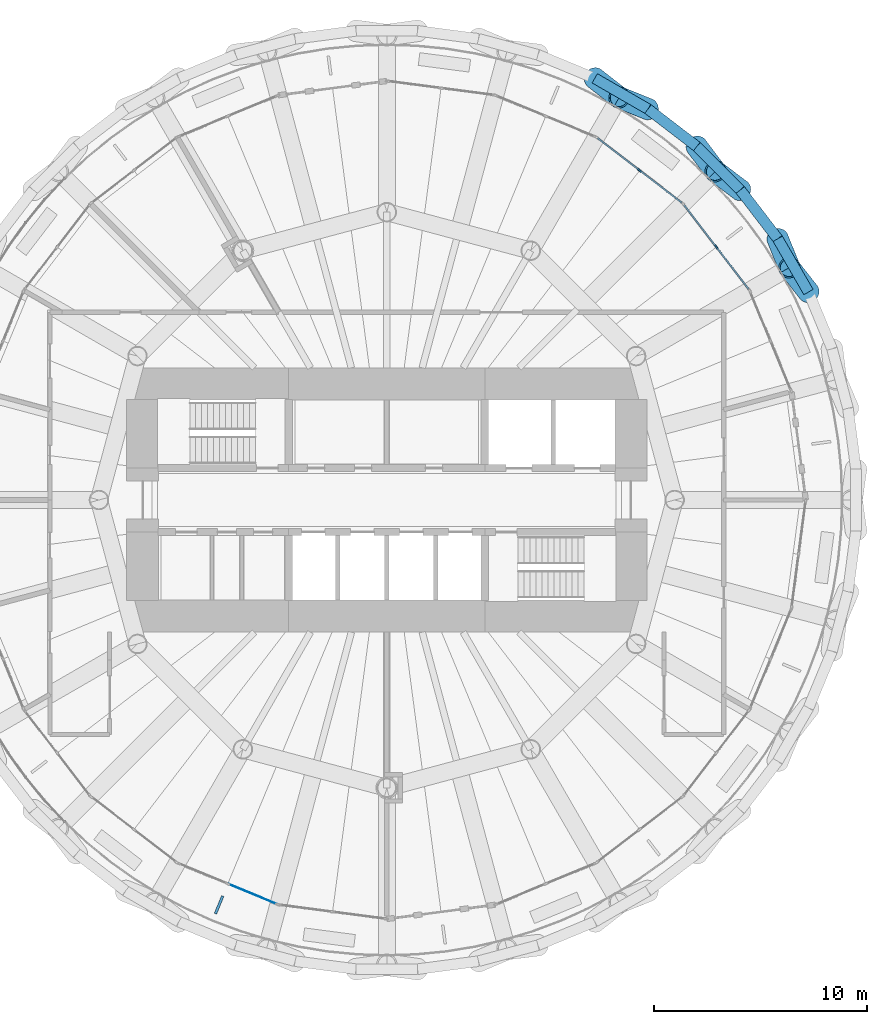
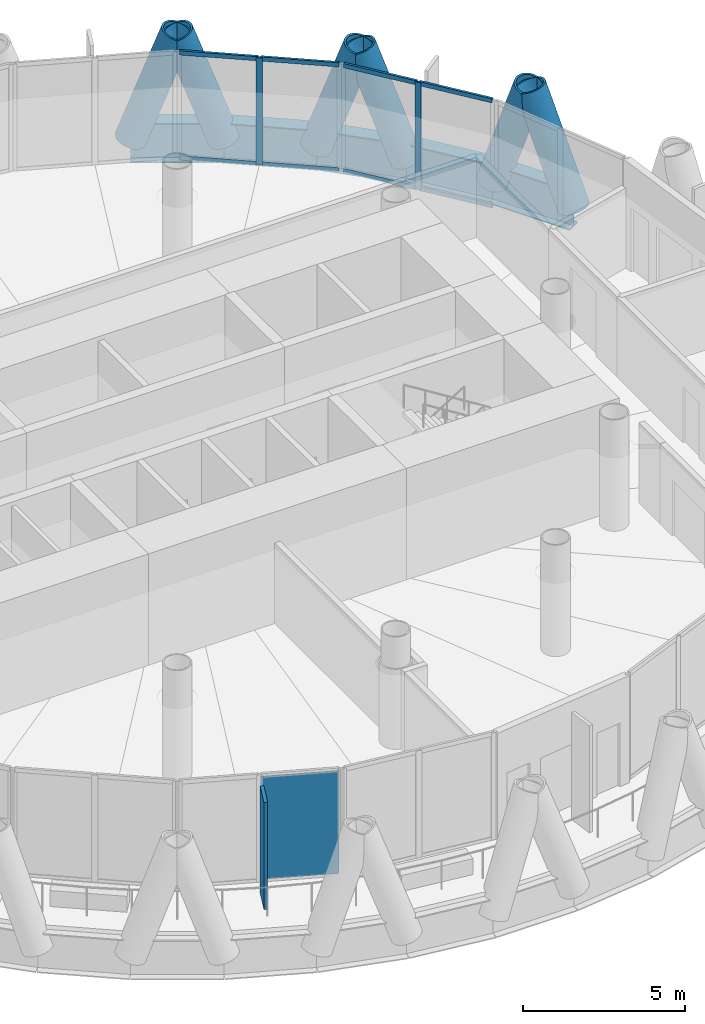
# One storey, part 6 of 15: 16 members, 5 beams, 2 plates, 3 elements without a shape of their own.
"""IFC4 building model written with IfcOpenShell, lengths in metres."""

import ifcopenshell
import ifcopenshell.guid

model = None  # the IFC model being written
_history = None  # IfcOwnerHistory: only IFC2X3 demands one
_inside = {}  # id of a spatial element -> (the spatial element, [elements in it])
_under = {}  # id of a project, library or spatial element -> (it, [spatial elements below it])
_declared = {}  # id of a project -> (the project, [libraries it declares])
_typed = {}  # id of a type object -> (the type object, [elements of that type])
_made_of = {}  # id of a material, layer set ... -> (it, [elements and type objects made of it])


def new_model(schema):
    """Start an empty IFC model of exactly this schema.

    Asked for "IFC4X3", IfcOpenShell would pick the latest addendum, in which some entities
    have other attributes; the version numbers below select the first issue.
    IFC2X3 requires an IfcOwnerHistory on every rooted entity: one is made here for all.
    """
    global model, _history
    if schema == "IFC4X3":
        model = ifcopenshell.file(schema_version=(4, 3, 0, 0))
    else:
        model = ifcopenshell.file(schema=schema)
    _inside.clear()
    _under.clear()
    _declared.clear()
    _typed.clear()
    _made_of.clear()
    _history = None
    if model.schema == "IFC2X3":
        org = make("IfcOrganization", Name="unknown")
        user = make(
            "IfcPersonAndOrganization",
            ThePerson=make("IfcPerson", FamilyName="unknown"),
            TheOrganization=org,
        )
        app = make(
            "IfcApplication",
            ApplicationDeveloper=org,
            Version="unknown",
            ApplicationFullName="unknown",
            ApplicationIdentifier="unknown",
        )
        _history = make(
            "IfcOwnerHistory",
            OwningUser=user,
            OwningApplication=app,
            ChangeAction="ADDED",
            CreationDate=0,
        )
    return model


def make(cls, **values):
    """One entity of the class cls with the attributes given. An attribute that is None is left unset."""
    return model.create_entity(
        cls, **{name: value for name, value in values.items() if value is not None}
    )


def rooted(cls, **values):
    """An entity with a GlobalId (a new one), such as an element, a storey or a relation."""
    return make(cls, GlobalId=ifcopenshell.guid.new(), OwnerHistory=_history, **values)


def si_unit(unit_type, name, prefix=None):
    """IfcSIUnit, for example si_unit("LENGTHUNIT", "METRE", prefix="MILLI")."""
    return make("IfcSIUnit", UnitType=unit_type, Prefix=prefix, Name=name)


def assignment(units):
    """IfcUnitAssignment: the units of a project."""
    return None if units is None else make("IfcUnitAssignment", Units=units)


def point(xyz):
    """IfcCartesianPoint."""
    return None if xyz is None else make("IfcCartesianPoint", Coordinates=xyz)


def direction(xyz):
    """IfcDirection."""
    return None if xyz is None else make("IfcDirection", DirectionRatios=xyz)


def frame(location, z_axis=None, x_axis=None):
    """IfcAxis2Placement3D, a coordinate frame: its origin and axes. An axis left out is left unset."""
    return make(
        "IfcAxis2Placement3D",
        Location=point(location),
        Axis=direction(z_axis),
        RefDirection=direction(x_axis),
    )


def frame_2d(location, x_axis=None):
    """IfcAxis2Placement2D, a coordinate frame in the plane: its origin and x axis."""
    return make(
        "IfcAxis2Placement2D", Location=point(location), RefDirection=direction(x_axis)
    )


def origin():
    """The frame at (0, 0, 0) with its axes left unset."""
    return frame((0.0, 0.0, 0.0))


def origin_2d():
    """The frame at (0, 0) in the plane with its x axis left unset."""
    return frame_2d((0.0, 0.0))


def place(relative_to, where):
    """IfcLocalPlacement: puts the frame where relative to a parent placement (None: the world)."""
    return make(
        "IfcLocalPlacement", PlacementRelTo=relative_to, RelativePlacement=where
    )


def context(
    kind, dimensions, precision=None, world=None, true_north=None, identifier=None
):
    """IfcGeometricRepresentationContext, for example the 3D "Model" context."""
    return make(
        "IfcGeometricRepresentationContext",
        ContextIdentifier=identifier,
        ContextType=kind,
        CoordinateSpaceDimension=dimensions,
        Precision=precision,
        WorldCoordinateSystem=world,
        TrueNorth=true_north,
    )


def subcontext(parent, identifier, kind, view, scale=None):
    """IfcGeometricRepresentationSubContext, for example "Body" below "Model"."""
    return make(
        "IfcGeometricRepresentationSubContext",
        ContextIdentifier=identifier,
        ContextType=kind,
        ParentContext=parent,
        TargetScale=scale,
        TargetView=view,
    )


def project(units=None, contexts=None):
    """IfcProject with its units and contexts."""
    return rooted(
        "IfcProject",
        Name="project",
        RepresentationContexts=contexts,
        UnitsInContext=assignment(units),
    )


def spatial(cls, under=None, at=None, **own):
    """A site, building, storey or space (cls), placed at a placement, below another one or the project."""
    s = rooted(cls, ObjectPlacement=at, **own)
    if under is not None:
        _under.setdefault(under.id(), (under, []))[1].append(s)
    return s


def profile(cls, at=None, kind="AREA", **sizes):
    """A parametric profile (cls). Its sizes go by their IFC names, for example OverallWidth=200.0."""
    return make(cls, ProfileType=kind, Position=at, **sizes)


def rectangle(**sizes):
    """IfcRectangleProfileDef."""
    return profile("IfcRectangleProfileDef", **sizes)


def hollow_circle(**sizes):
    """IfcCircleHollowProfileDef."""
    return profile("IfcCircleHollowProfileDef", **sizes)


def i_section(**sizes):
    """IfcIShapeProfileDef."""
    return profile("IfcIShapeProfileDef", **sizes)


def extrude(swept, where, along, depth):
    """IfcExtrudedAreaSolid: the profile swept, set in the frame where, extruded along a direction by depth."""
    return make(
        "IfcExtrudedAreaSolid",
        SweptArea=swept,
        Position=where,
        ExtrudedDirection=direction(along),
        Depth=depth,
    )


def shape(context_of_items, identifier, shape_type, items):
    """IfcShapeRepresentation: the items that make up one representation, for example the "Body"."""
    return make(
        "IfcShapeRepresentation",
        ContextOfItems=context_of_items,
        RepresentationIdentifier=identifier,
        RepresentationType=shape_type,
        Items=items,
    )


def material(Name=None, Category=None):
    """IfcMaterial."""
    return make("IfcMaterial", Name=Name, Category=Category)


def layer(
    of_material, thickness, ventilated=None, Name=None, Category=None, Priority=None
):
    """IfcMaterialLayer: one layer of a wall or slab, of a material (None: an air gap)."""
    return make(
        "IfcMaterialLayer",
        Material=of_material,
        LayerThickness=thickness,
        IsVentilated=ventilated,
        Name=Name,
        Category=Category,
        Priority=Priority,
    )


def layer_set(layers, Name=None):
    """IfcMaterialLayerSet."""
    return make("IfcMaterialLayerSet", MaterialLayers=layers, LayerSetName=Name)


def material_profile(
    of_material, cross_section, Name=None, Category=None, Priority=None
):
    """IfcMaterialProfile: a cross section and its material."""
    return make(
        "IfcMaterialProfile",
        Name=Name,
        Material=of_material,
        Profile=cross_section,
        Priority=Priority,
        Category=Category,
    )


def profile_set(profiles, Name=None, composite=None):
    """IfcMaterialProfileSet."""
    return make(
        "IfcMaterialProfileSet",
        Name=Name,
        MaterialProfiles=profiles,
        CompositeProfile=composite,
    )


def made_of(thing, what):
    """Note that an element or type object is made of a material, layer set ...; save() writes the relation."""
    if what is not None:
        _made_of.setdefault(what.id(), (what, []))[1].append(thing)
    return thing


def type_object(cls, material=None, **own):
    """A type object (cls), such as IfcWallType, which elements share."""
    return made_of(rooted(cls, **own), material)


def element(
    cls,
    number,
    at=None,
    inside=None,
    cuts=None,
    type_object=None,
    material=None,
    context=None,
    identifier="Body",
    shape_type=None,
    held_by="IfcProductDefinitionShape",
    body=None,
    shapes=None,
    **own,
):
    """One element of the class cls, such as IfcWall. Its Tag is "e" and its number.

    at: its placement. inside: the storey or other place that contains it. cuts: it is an
    opening in that element (IfcRelVoidsElement). A single representation is given by context,
    identifier, shape_type and body (its items); several are given by shapes. held_by: the class
    of the entity that holds the representations. save() writes the other relations.
    """
    e = rooted(cls, Tag="e%d" % number, ObjectPlacement=at, **own)
    if body is not None:
        shapes = [shape(context, identifier, shape_type, body)]
    if shapes is not None:
        e.Representation = make(held_by, Representations=shapes)
    if inside is not None:
        _inside.setdefault(inside.id(), (inside, []))[1].append(e)
    if cuts is not None:
        rooted(
            "IfcRelVoidsElement", RelatingBuildingElement=cuts, RelatedOpeningElement=e
        )
    if type_object is not None:
        _typed.setdefault(type_object.id(), (type_object, []))[1].append(e)
    return made_of(e, material)


def aggregate(whole, parts):
    """IfcRelAggregates: a whole, such as a stair, and the parts it consists of."""
    return rooted("IfcRelAggregates", RelatingObject=whole, RelatedObjects=parts)


def save(model, path):
    """Write the relations noted so far, then the file.

    IfcRelAggregates (storeys below a building ...), IfcRelContainedInSpatialStructure (elements
    in a storey), IfcRelDefinesByType, IfcRelAssociatesMaterial and IfcRelDeclares: one each for
    every whole, place, type object, material and project.
    """
    for whole, parts in _under.values():
        aggregate(whole, parts)
    for where, things in _inside.values():
        rooted(
            "IfcRelContainedInSpatialStructure",
            RelatedElements=things,
            RelatingStructure=where,
        )
    for kind, things in _typed.values():
        rooted("IfcRelDefinesByType", RelatedObjects=things, RelatingType=kind)
    for what, things in _made_of.values():
        rooted("IfcRelAssociatesMaterial", RelatedObjects=things, RelatingMaterial=what)
    for by, libraries in _declared.values():
        rooted("IfcRelDeclares", RelatingContext=by, RelatedDefinitions=libraries)
    model.write(path)


model = new_model("IFC4")

# Units and contexts
model_context = context("Model", 3, precision=1e-05, world=origin(), true_north=direction((0.0, 1.0)))
body_context = subcontext(model_context, "Body", "Model", "MODEL_VIEW")
ifc_project = project(units=[si_unit("LENGTHUNIT", "METRE"), si_unit("AREAUNIT", "SQUARE_METRE"), si_unit("VOLUMEUNIT", "CUBIC_METRE"), si_unit("PLANEANGLEUNIT", "RADIAN"), si_unit("MASSUNIT", "GRAM", prefix="KILO")], contexts=[model_context])

# Site, building, storey
site_placement = place(None, origin())
site = spatial("IfcSite", under=ifc_project, at=site_placement, CompositionType="ELEMENT")
building_placement = place(site_placement, origin())
building = spatial("IfcBuilding", under=site, at=building_placement, Name="Qaws Media Tower", CompositionType="ELEMENT")
storey_placement = place(building_placement, frame((0.0, 0.0, 257.0)))
storey = spatial("IfcBuildingStorey", under=building, at=storey_placement, Name="L59", CompositionType="ELEMENT", Elevation=257.0)

# Curtain wall, member
ifc_material_1 = material(Name="Aluminium and clear glass", Category="aluminium")
curtain_wall_type = type_object("IfcCurtainWallType", Name="Unitised curtain wall CW-C", PredefinedType="NOTDEFINED", material=ifc_material_1)
curtain_wall_1_placement = place(storey_placement, origin())
curtain_wall_1 = element("IfcCurtainWall", 1, at=curtain_wall_1_placement, inside=storey, type_object=curtain_wall_type, Name="CWC curtain wall L59-03", PredefinedType="NOTDEFINED")
ifc_material_2 = material(Name="Aluminium mullion", Category="aluminium")
ifc_material_profile_1 = material_profile(ifc_material_2, rectangle(XDim=0.080078125, YDim=0.199951171875, at=origin_2d()), Name="80x200")
ifc_profile_set_1 = profile_set([ifc_material_profile_1], Name="Aluminium mullion")
member_type_1 = type_object("IfcMemberType", Name="Curtain wall mullion 80x200", PredefinedType="MULLION", material=ifc_profile_set_1)
member_1_placement = place(storey_placement, frame((75.4560546875, 61.85986328125, 0.0), z_axis=(0.0, 0.0, 1.0), x_axis=(-0.793353316003, -0.608761460662, 0.0)))
member_1 = element("IfcMember", 2, at=member_1_placement, type_object=member_type_1, Name="CWC mullion 2", PredefinedType="MULLION", context=body_context, shape_type="SweptSolid", body=[
    extrude(rectangle(XDim=0.080078125, YDim=0.199951171875, at=origin_2d()), origin(), (0.0, 0.0, 1.0), 4.0400390625),
])

curtain_wall_2_placement = place(storey_placement, origin())
curtain_wall_2 = element("IfcCurtainWall", 3, at=curtain_wall_2_placement, inside=storey, type_object=curtain_wall_type, Name="CWC curtain wall L59-04", PredefinedType="NOTDEFINED")
member_2_placement = place(storey_placement, frame((71.85986328125, 65.4560546875, 0.0), z_axis=(0.0, 0.0, 1.0), x_axis=(-0.608761460662, -0.793353316003, 0.0)))
member_2 = element("IfcMember", 4, at=member_2_placement, type_object=member_type_1, Name="CWC mullion 2", PredefinedType="MULLION", context=body_context, shape_type="SweptSolid", body=[
    extrude(rectangle(XDim=0.080078125, YDim=0.199951171875, at=origin_2d()), origin(), (0.0, 0.0, 1.0), 4.0400390625),
])

# Member
ifc_material_3 = material(Name="Aluminium transom", Category="aluminium")
ifc_material_profile_2 = material_profile(ifc_material_3, rectangle(XDim=0.080078125, YDim=0.159912109375, at=origin_2d()), Name="80x160")
ifc_profile_set_2 = profile_set([ifc_material_profile_2], Name="Aluminium transom")
member_type_2 = type_object("IfcMemberType", Name="Curtain wall transom 80x160", PredefinedType="USERDEFINED", material=ifc_profile_set_2)
member_3_placement = place(storey_placement, frame((76.96875, 59.888427734375, 0.0400390625), z_axis=(-0.608735475995, 0.793373254065, 0.0), x_axis=(-0.793373254065, -0.608735475995, 0.0)))
member_3 = element("IfcMember", 5, at=member_3_placement, type_object=member_type_2, Name="CWC transom 1.1", ObjectType="TRANSOM", PredefinedType="USERDEFINED", context=body_context, shape_type="SweptSolid", body=[
    extrude(rectangle(XDim=0.080078125, YDim=0.159912109375, at=origin_2d()), origin(), (0.0, 0.0, 1.0), 2.44482421875),
])

member_4_placement = place(storey_placement, frame((76.96875, 59.888427734375, 4.0), z_axis=(-0.608735475995, 0.793373254065, 0.0), x_axis=(-0.793373254065, -0.608735475995, 0.0)))
member_4 = element("IfcMember", 6, at=member_4_placement, type_object=member_type_2, Name="CWC transom 1.2", ObjectType="TRANSOM", PredefinedType="USERDEFINED", context=body_context, shape_type="SweptSolid", body=[
    extrude(rectangle(XDim=0.080078125, YDim=0.159912109375, at=origin_2d()), origin(), (0.0, 0.0, 1.0), 2.44482421875),
])

member_5_placement = place(storey_placement, frame((75.431640625, 61.8916015625, 0.0400390625), z_axis=(-0.608735475995, 0.793373254065, 0.0), x_axis=(-0.793373254065, -0.608735475995, 0.0)))
member_5 = element("IfcMember", 7, at=member_5_placement, type_object=member_type_2, Name="CWC transom 2.1", ObjectType="TRANSOM", PredefinedType="USERDEFINED", context=body_context, shape_type="SweptSolid", body=[
    extrude(rectangle(XDim=0.080078125, YDim=0.159912109375, at=origin_2d()), origin(), (0.0, 0.0, 1.0), 2.44482421875),
])

member_6_placement = place(storey_placement, frame((75.431640625, 61.8916015625, 4.0), z_axis=(-0.608735475995, 0.793373254065, 0.0), x_axis=(-0.793373254065, -0.608735475995, 0.0)))
member_6 = element("IfcMember", 8, at=member_6_placement, type_object=member_type_2, Name="CWC transom 2.2", ObjectType="TRANSOM", PredefinedType="USERDEFINED", context=body_context, shape_type="SweptSolid", body=[
    extrude(rectangle(XDim=0.080078125, YDim=0.159912109375, at=origin_2d()), origin(), (0.0, 0.0, 1.0), 2.44482421875),
])

aggregate(curtain_wall_1, [member_1, member_3, member_4, member_5, member_6])

member_7_placement = place(storey_placement, frame((73.831298828125, 63.943359375, 0.0400390625), z_axis=(-0.793373254065, 0.608735475995, 0.0), x_axis=(-0.608735475995, -0.793373254065, 0.0)))
member_7 = element("IfcMember", 9, at=member_7_placement, type_object=member_type_2, Name="CWC transom 1.1", ObjectType="TRANSOM", PredefinedType="USERDEFINED", context=body_context, shape_type="SweptSolid", body=[
    extrude(rectangle(XDim=0.080078125, YDim=0.159912109375, at=origin_2d()), origin(), (0.0, 0.0, 1.0), 2.44482421875),
])

member_8_placement = place(storey_placement, frame((73.831298828125, 63.943359375, 4.0), z_axis=(-0.793373254065, 0.608735475995, 0.0), x_axis=(-0.608735475995, -0.793373254065, 0.0)))
member_8 = element("IfcMember", 10, at=member_8_placement, type_object=member_type_2, Name="CWC transom 1.2", ObjectType="TRANSOM", PredefinedType="USERDEFINED", context=body_context, shape_type="SweptSolid", body=[
    extrude(rectangle(XDim=0.080078125, YDim=0.159912109375, at=origin_2d()), origin(), (0.0, 0.0, 1.0), 2.44482421875),
])

member_9_placement = place(storey_placement, frame((71.828125, 65.48046875, 0.0400390625), z_axis=(-0.793373254065, 0.608735475995, 0.0), x_axis=(-0.608735475995, -0.793373254065, 0.0)))
member_9 = element("IfcMember", 11, at=member_9_placement, type_object=member_type_2, Name="CWC transom 2.1", ObjectType="TRANSOM", PredefinedType="USERDEFINED", context=body_context, shape_type="SweptSolid", body=[
    extrude(rectangle(XDim=0.080078125, YDim=0.159912109375, at=origin_2d()), origin(), (0.0, 0.0, 1.0), 2.44482421875),
])

member_10_placement = place(storey_placement, frame((71.828125, 65.48046875, 4.0), z_axis=(-0.793373254065, 0.608735475995, 0.0), x_axis=(-0.608735475995, -0.793373254065, 0.0)))
member_10 = element("IfcMember", 12, at=member_10_placement, type_object=member_type_2, Name="CWC transom 2.2", ObjectType="TRANSOM", PredefinedType="USERDEFINED", context=body_context, shape_type="SweptSolid", body=[
    extrude(rectangle(XDim=0.080078125, YDim=0.159912109375, at=origin_2d()), origin(), (0.0, 0.0, 1.0), 2.44482421875),
])

aggregate(curtain_wall_2, [member_2, member_7, member_8, member_9, member_10])

# Members
ifc_material_4 = material(Name="Steel S460", Category="steel")
ifc_material_profile_3 = material_profile(ifc_material_4, hollow_circle(Radius=0.508056640625, WallThickness=0.070068359375, at=origin_2d()), Name="CHS 1016x70")
ifc_profile_set_3 = profile_set([ifc_material_profile_3], Name="Steel S460")
member_type_3 = type_object("IfcMemberType", Name="Diagrid member CHS 1016x70", PredefinedType="USERDEFINED", material=ifc_profile_set_3)
for number, where, z_axis, x_axis, name in (
    (13, (79.776123046875, 59.75244140625, -0.909912109375), (-0.201726684685, 0.25813106943, 0.94481463562), (-0.787932866682, -0.615761153047, 0.0), "DG3 diagrid L59 A02"),
    (14, (76.578125, 64.53857421875, -0.909912109375), (-0.261644914353, 0.197167347298, 0.944810550297), (-0.601822347919, -0.798629990387, 0.0), "DG3 diagrid L59 A03"),
    (15, (78.333984375, 62.250244140625, -0.909912109375), (0.122694309374, -0.30377002021, 0.944812087808), (0.927222806383, 0.374510169853, 0.0), "DG3 diagrid L59 B03"),
    (16, (72.250244140625, 68.333984375, -0.909912109375), (-0.30377002021, 0.122694309374, 0.944812087808), (-0.374510169853, -0.927222806383, 0.0), "DG3 diagrid L59 A04"),
    (17, (74.53857421875, 66.578125, -0.909912109375), (0.197167347298, -0.261644914353, 0.944810550297), (0.798629990387, 0.601822347919, 0.0), "DG3 diagrid L59 B04"),
    (18, (69.75244140625, 69.776123046875, -0.909912109375), (0.25813106943, -0.201726684685, 0.94481463562), (0.615761153047, 0.787932866682, 0.0), "DG3 diagrid L59 B05"),
):
    element("IfcMember", number, at=place(storey_placement, frame(where, z_axis=z_axis, x_axis=x_axis)), inside=storey, type_object=member_type_3, Name=name, ObjectType="DIAGRID", PredefinedType="USERDEFINED", context=body_context, shape_type="SweptSolid", body=[
        extrude(hollow_circle(Radius=0.508056640625, WallThickness=0.070068359375, at=origin_2d()), origin(), (0.0, 0.0, 1.0), 4.4453125),
    ])

# Beams
ifc_material_5 = material(Name="Steel S460", Category="steel")
ifc_material_profile_4 = material_profile(ifc_material_5, i_section(OverallWidth=0.5, OverallDepth=1.5, WebThickness=0.02001953125, FlangeThickness=0.0400390625, at=origin_2d()), Name="PG 1500x500")
ifc_profile_set_4 = profile_set([ifc_material_profile_4], Name="Steel S460")
beam_type = type_object("IfcBeamType", Name="Edge ring beam PG 1500x500", PredefinedType="BEAM", material=ifc_profile_set_4)
for number, where, z_axis, x_axis, name in (
    (19, (79.776123046875, 59.75244140625, -0.909912109375), (-0.500008214683, 0.866020660983, 0.0), (-0.866020660983, -0.500008214683, 0.0), "RB4 edge ring beam L59-04"),
    (20, (78.333984375, 62.250244140625, -0.909912109375), (-0.608753125597, 0.793359711654, 0.0), (-0.793359711654, -0.608753125597, 0.0), "RB4 edge ring beam L59-05"),
    (21, (76.578125, 64.53857421875, -0.909912109375), (-0.707106781187, 0.707106781187, 0.0), (-0.707106781187, -0.707106781187, 0.0), "RB4 edge ring beam L59-06"),
    (22, (74.53857421875, 66.578125, -0.909912109375), (-0.793359711654, 0.608753125597, 0.0), (-0.608753125597, -0.793359711654, 0.0), "RB4 edge ring beam L59-07"),
    (23, (72.250244140625, 68.333984375, -0.909912109375), (-0.866020660983, 0.500008214683, 0.0), (-0.500008214683, -0.866020660983, 0.0), "RB4 edge ring beam L59-08"),
):
    element("IfcBeam", number, at=place(storey_placement, frame(where, z_axis=z_axis, x_axis=x_axis)), inside=storey, type_object=beam_type, Name=name, PredefinedType="BEAM", context=body_context, shape_type="SweptSolid", body=[
        extrude(i_section(OverallWidth=0.5, OverallDepth=1.5, WebThickness=0.02001953125, FlangeThickness=0.0400390625, at=origin_2d()), origin(), (0.0, 0.0, 1.0), 2.88427734375),
    ])

# Curtain wall, plate
curtain_wall_3_placement = place(storey_placement, origin())
curtain_wall_3 = element("IfcCurtainWall", 24, at=curtain_wall_3_placement, inside=storey, type_object=curtain_wall_type, Name="CWC curtain wall L59-17", PredefinedType="NOTDEFINED")
ifc_material_6 = material(Name="Clear laminated double glazing", Category="glass")
ifc_layer_1 = layer(ifc_material_6, 0.031982421875)
ifc_layer_set_1 = layer_set([ifc_layer_1], Name="Curtain wall glass unit 32")
plate_type_1 = type_object("IfcPlateType", Name="Curtain wall glass unit 32", PredefinedType="CURTAIN_PANEL", material=ifc_layer_set_1)
plate_1_placement = place(storey_placement, frame((53.7109375, 31.51806640625, 0.080078125), z_axis=(0.0, 0.0, 1.0), x_axis=(0.923879560089, -0.382683365786, 0.0)))
plate_1 = element("IfcPlate", 25, at=plate_1_placement, type_object=plate_type_1, Name="CWC panel 2.1", PredefinedType="CURTAIN_PANEL", context=body_context, shape_type="SweptSolid", body=[
    extrude(rectangle(XDim=2.44482421875, YDim=0.031982421875, at=origin_2d()), origin(), (0.0, 0.0, 1.0), 3.8798828125),
])
aggregate(curtain_wall_3, [plate_1])

# Plate
ifc_material_7 = material(Name="Precast concrete screen fin", Category="concrete")
ifc_layer_2 = layer(ifc_material_7, 0.1201171875)
ifc_layer_set_2 = layer_set([ifc_layer_2], Name="Screen fin 120x900")
plate_type_2 = type_object("IfcPlateType", Name="Screen fin 120x900", PredefinedType="USERDEFINED", material=ifc_layer_set_2)
plate_2_placement = place(storey_placement, frame((52.1357421875, 31.01416015625, 0.0), z_axis=(0.0, 0.0, 1.0), x_axis=(-0.382683432365, -0.923879532511, 0.0)))
element("IfcPlate", 26, at=plate_2_placement, inside=storey, type_object=plate_type_2, Name="SCR1 screen fin L59-09", ObjectType="SCREEN", PredefinedType="USERDEFINED", context=body_context, shape_type="SweptSolid", body=[
    extrude(rectangle(XDim=0.89990234375, YDim=0.1201171875, at=origin_2d()), origin(), (0.0, 0.0, 1.0), 4.0400390625),
])

save(model, "model.ifc")
